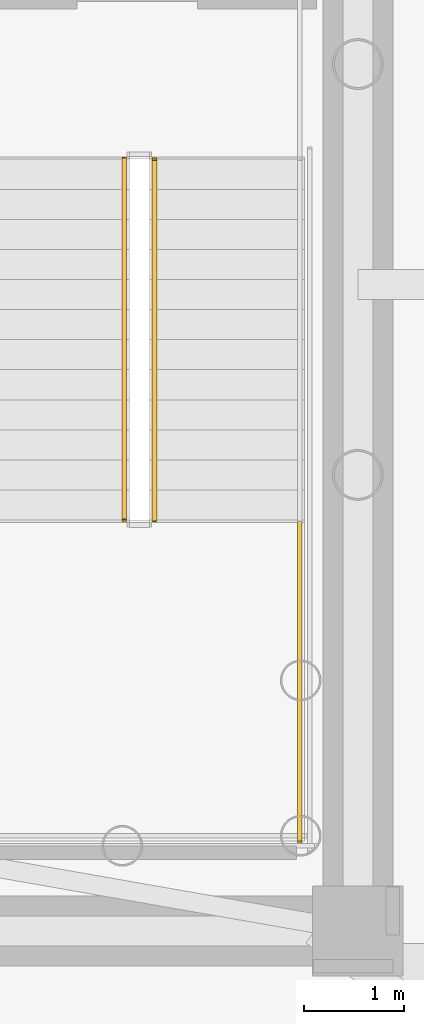
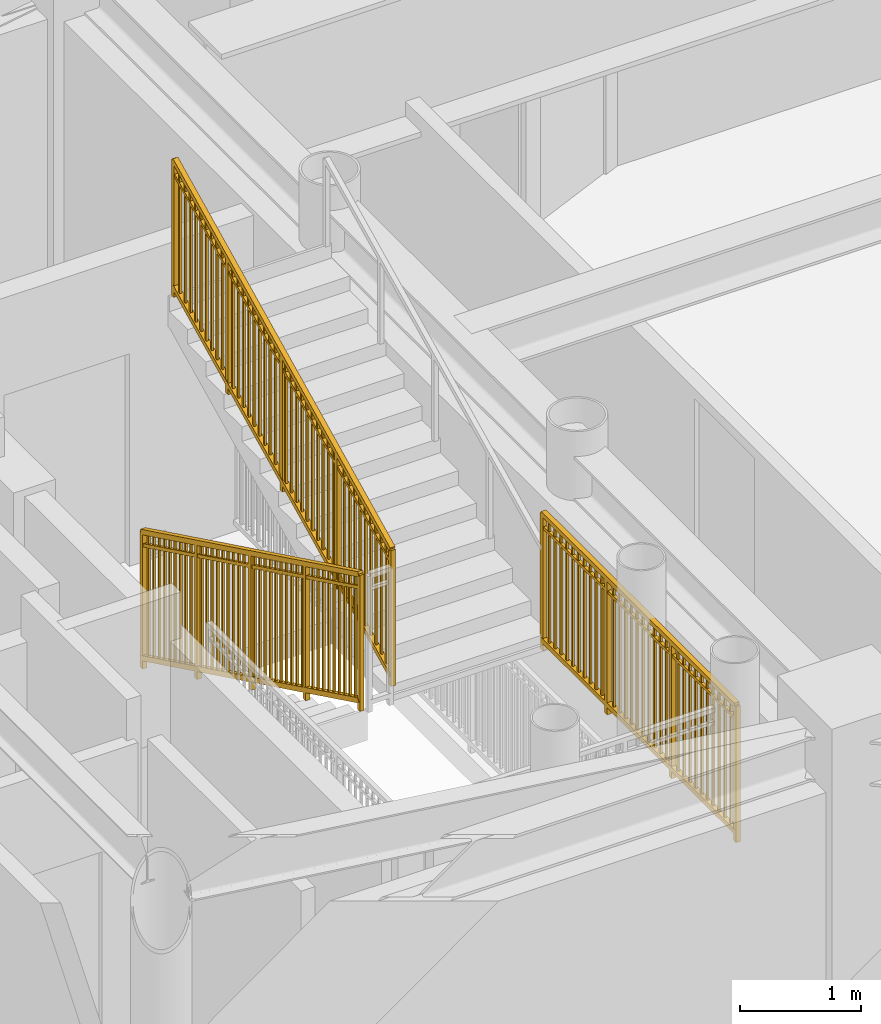
# One storey, part 15 of 19: 3 railings.
"""IFC4 building model written with IfcOpenShell, lengths in metres."""

from ifc_helpers import new_model, si_unit, direction, frame, origin, origin_2d, place, context, subcontext, project, spatial, rectangle, extrude, source, transform, mapped, material, type_object, element, save


model = new_model("IFC4")

# Units and contexts
model_context = context("Model", 3, precision=1e-05, world=origin(), true_north=direction((0.0, 1.0)))
body_context = subcontext(model_context, "Body", "Model", "MODEL_VIEW")
ifc_project = project(units=[si_unit("LENGTHUNIT", "METRE"), si_unit("AREAUNIT", "SQUARE_METRE"), si_unit("VOLUMEUNIT", "CUBIC_METRE"), si_unit("PLANEANGLEUNIT", "RADIAN"), si_unit("MASSUNIT", "GRAM", prefix="KILO")], contexts=[model_context])

# Site, building, storey
site_placement = place(None, origin())
site = spatial("IfcSite", under=ifc_project, at=site_placement, CompositionType="ELEMENT")
building_placement = place(site_placement, origin())
building = spatial("IfcBuilding", under=site, at=building_placement, Name="Linh Dai School and Residence Tower", CompositionType="ELEMENT")
storey_placement = place(building_placement, frame((0.0, 0.0, 339.199951171875)))
storey = spatial("IfcBuildingStorey", under=building, at=storey_placement, Name="L84", CompositionType="ELEMENT", Elevation=339.199951171875)

# Railings
ifc_material = material(Name="Structural Steel S355JR", Category="steel")
railing_type = type_object("IfcRailingType", Name="RL-ST-GUARD-1400", PredefinedType="GUARDRAIL", material=ifc_material)
shared_shape_1 = source(origin(), body_context, "Body", "SweptSolid", [
    extrude(rectangle(XDim=0.048095703125, YDim=0.048095703125, at=origin_2d()), frame((0.0, 0.0, 1.3759765625), z_axis=(0.0, -0.898988637874, 0.437971949985), x_axis=(1.0, 0.0, 0.0)), (0.0, 0.0, 1.0), 4.004638671875),
    extrude(rectangle(XDim=0.048095703125, YDim=0.048095703125, at=origin_2d()), frame((0.0, 0.0, 0.10009765625), z_axis=(0.0, -0.898988637874, 0.437971949985), x_axis=(1.0, 0.0, 0.0)), (0.0, 0.0, 1.0), 4.004638671875),
    extrude(rectangle(XDim=0.030029296875, YDim=0.030029296875, at=origin_2d()), frame((0.0, 0.0, 1.239990234375), z_axis=(0.0, -0.898988637874, 0.437971949985), x_axis=(1.0, 0.0, 0.0)), (0.0, 0.0, 1.0), 4.004638671875),
    extrude(rectangle(XDim=0.02001953125, YDim=0.02001953125, at=origin_2d()), frame((0.0, -0.087890625, 0.142822265625)), (0.0, 0.0, 1.0), 1.251708984375),
    extrude(rectangle(XDim=0.02001953125, YDim=0.02001953125, at=origin_2d()), frame((0.0, -0.175537109375, 0.185546875)), (0.0, 0.0, 1.0), 1.251708984375),
    extrude(rectangle(XDim=0.02001953125, YDim=0.02001953125, at=origin_2d()), frame((0.0, -0.263427734375, 0.228515625)), (0.0, 0.0, 1.0), 1.251708984375),
    extrude(rectangle(XDim=0.02001953125, YDim=0.02001953125, at=origin_2d()), frame((0.0, -0.351318359375, 0.271240234375)), (0.0, 0.0, 1.0), 1.251708984375),
    extrude(rectangle(XDim=0.02001953125, YDim=0.02001953125, at=origin_2d()), frame((0.0, -0.43896484375, 0.31396484375)), (0.0, 0.0, 1.0), 1.251708984375),
    extrude(rectangle(XDim=0.02001953125, YDim=0.02001953125, at=origin_2d()), frame((0.0, -0.52685546875, 0.356689453125)), (0.0, 0.0, 1.0), 1.251708984375),
    extrude(rectangle(XDim=0.02001953125, YDim=0.02001953125, at=origin_2d()), frame((0.0, -0.61474609375, 0.399658203125)), (0.0, 0.0, 1.0), 1.251708984375),
    extrude(rectangle(XDim=0.02001953125, YDim=0.02001953125, at=origin_2d()), frame((0.0, -0.702392578125, 0.4423828125)), (0.0, 0.0, 1.0), 1.251708984375),
    extrude(rectangle(XDim=0.02001953125, YDim=0.02001953125, at=origin_2d()), frame((0.0, -0.790283203125, 0.485107421875)), (0.0, 0.0, 1.0), 1.251708984375),
    extrude(rectangle(XDim=0.02001953125, YDim=0.02001953125, at=origin_2d()), frame((0.0, -0.9658203125, 0.570556640625)), (0.0, 0.0, 1.0), 1.251708984375),
    extrude(rectangle(XDim=0.02001953125, YDim=0.02001953125, at=origin_2d()), frame((0.0, -1.0537109375, 0.613525390625)), (0.0, 0.0, 1.0), 1.251708984375),
    extrude(rectangle(XDim=0.02001953125, YDim=0.02001953125, at=origin_2d()), frame((0.0, -1.1416015625, 0.65625)), (0.0, 0.0, 1.0), 1.251708984375),
    extrude(rectangle(XDim=0.02001953125, YDim=0.02001953125, at=origin_2d()), frame((0.0, -1.229248046875, 0.698974609375)), (0.0, 0.0, 1.0), 1.251708984375),
    extrude(rectangle(XDim=0.02001953125, YDim=0.02001953125, at=origin_2d()), frame((0.0, -1.317138671875, 0.74169921875)), (0.0, 0.0, 1.0), 1.251708984375),
    extrude(rectangle(XDim=0.02001953125, YDim=0.02001953125, at=origin_2d()), frame((0.0, -1.405029296875, 0.78466796875)), (0.0, 0.0, 1.0), 1.251708984375),
    extrude(rectangle(XDim=0.02001953125, YDim=0.02001953125, at=origin_2d()), frame((0.0, -1.49267578125, 0.827392578125)), (0.0, 0.0, 1.0), 1.251708984375),
    extrude(rectangle(XDim=0.02001953125, YDim=0.02001953125, at=origin_2d()), frame((0.0, -1.58056640625, 0.8701171875)), (0.0, 0.0, 1.0), 1.251708984375),
    extrude(rectangle(XDim=0.02001953125, YDim=0.02001953125, at=origin_2d()), frame((0.0, -1.66845703125, 0.912841796875)), (0.0, 0.0, 1.0), 1.251708984375),
    extrude(rectangle(XDim=0.02001953125, YDim=0.02001953125, at=origin_2d()), frame((0.0, -1.756103515625, 0.95556640625)), (0.0, 0.0, 1.0), 1.251708984375),
    extrude(rectangle(XDim=0.02001953125, YDim=0.02001953125, at=origin_2d()), frame((0.0, -1.843994140625, 0.99853515625)), (0.0, 0.0, 1.0), 1.251708984375),
    extrude(rectangle(XDim=0.02001953125, YDim=0.02001953125, at=origin_2d()), frame((0.0, -1.931640625, 1.041259765625)), (0.0, 0.0, 1.0), 1.251708984375),
    extrude(rectangle(XDim=0.02001953125, YDim=0.02001953125, at=origin_2d()), frame((0.0, -2.01953125, 1.083984375)), (0.0, 0.0, 1.0), 1.251708984375),
    extrude(rectangle(XDim=0.02001953125, YDim=0.02001953125, at=origin_2d()), frame((0.0, -2.107421875, 1.126708984375)), (0.0, 0.0, 1.0), 1.251708984375),
    extrude(rectangle(XDim=0.02001953125, YDim=0.02001953125, at=origin_2d()), frame((0.0, -2.195068359375, 1.16943359375)), (0.0, 0.0, 1.0), 1.251708984375),
    extrude(rectangle(XDim=0.02001953125, YDim=0.02001953125, at=origin_2d()), frame((0.0, -2.282958984375, 1.21240234375)), (0.0, 0.0, 1.0), 1.251708984375),
    extrude(rectangle(XDim=0.02001953125, YDim=0.02001953125, at=origin_2d()), frame((0.0, -2.370849609375, 1.255126953125)), (0.0, 0.0, 1.0), 1.251708984375),
    extrude(rectangle(XDim=0.02001953125, YDim=0.02001953125, at=origin_2d()), frame((0.0, -2.45849609375, 1.2978515625)), (0.0, 0.0, 1.0), 1.251708984375),
    extrude(rectangle(XDim=0.02001953125, YDim=0.02001953125, at=origin_2d()), frame((0.0, -2.54638671875, 1.340576171875)), (0.0, 0.0, 1.0), 1.251708984375),
    extrude(rectangle(XDim=0.02001953125, YDim=0.02001953125, at=origin_2d()), frame((0.0, -2.63427734375, 1.383544921875)), (0.0, 0.0, 1.0), 1.251708984375),
    extrude(rectangle(XDim=0.02001953125, YDim=0.02001953125, at=origin_2d()), frame((0.0, -2.809814453125, 1.468994140625)), (0.0, 0.0, 1.0), 1.251708984375),
    extrude(rectangle(XDim=0.02001953125, YDim=0.02001953125, at=origin_2d()), frame((0.0, -2.897705078125, 1.51171875)), (0.0, 0.0, 1.0), 1.251708984375),
    extrude(rectangle(XDim=0.02001953125, YDim=0.02001953125, at=origin_2d()), frame((0.0, -2.9853515625, 1.554443359375)), (0.0, 0.0, 1.0), 1.251708984375),
    extrude(rectangle(XDim=0.02001953125, YDim=0.02001953125, at=origin_2d()), frame((0.0, -3.0732421875, 1.597412109375)), (0.0, 0.0, 1.0), 1.251708984375),
    extrude(rectangle(XDim=0.02001953125, YDim=0.02001953125, at=origin_2d()), frame((0.0, -3.1611328125, 1.64013671875)), (0.0, 0.0, 1.0), 1.251708984375),
    extrude(rectangle(XDim=0.02001953125, YDim=0.02001953125, at=origin_2d()), frame((0.0, -3.248779296875, 1.682861328125)), (0.0, 0.0, 1.0), 1.251708984375),
    extrude(rectangle(XDim=0.02001953125, YDim=0.02001953125, at=origin_2d()), frame((0.0, -3.336669921875, 1.7255859375)), (0.0, 0.0, 1.0), 1.251708984375),
    extrude(rectangle(XDim=0.02001953125, YDim=0.02001953125, at=origin_2d()), frame((0.0, -3.424560546875, 1.7685546875)), (0.0, 0.0, 1.0), 1.251708984375),
    extrude(rectangle(XDim=0.02001953125, YDim=0.02001953125, at=origin_2d()), frame((0.0, -3.51220703125, 1.811279296875)), (0.0, 0.0, 1.0), 1.251708984375),
    extrude(rectangle(XDim=0.0419921875, YDim=0.0419921875, at=origin_2d()), origin(), (0.0, 0.0, 1.0), 1.3759765625),
    extrude(rectangle(XDim=0.0419921875, YDim=0.0419921875, at=origin_2d()), frame((0.0, -0.89990234375, 0.4384765625)), (0.0, 0.0, 1.0), 1.3759765625),
    extrude(rectangle(XDim=0.0419921875, YDim=0.0419921875, at=origin_2d()), frame((0.0, -1.800048828125, 0.876953125)), (0.0, 0.0, 1.0), 1.3759765625),
    extrude(rectangle(XDim=0.0419921875, YDim=0.0419921875, at=origin_2d()), frame((0.0, -2.7001953125, 1.3154296875)), (0.0, 0.0, 1.0), 1.3759765625),
    extrude(rectangle(XDim=0.0419921875, YDim=0.0419921875, at=origin_2d()), frame((0.0, -3.60009765625, 1.75390625)), (0.0, 0.0, 1.0), 1.3759765625),
])
railing_1_placement = place(storey_placement, frame((42.52001953125, 28.25, 0.146240234375)))
element("IfcRailing", 1, at=railing_1_placement, inside=storey, type_object=railing_type, Name="L84 ST2 stair guard 1", PredefinedType="GUARDRAIL", context=body_context, shape_type="MappedRepresentation", body=[
    mapped(shared_shape_1, transform((0.0, 0.0, 0.0), x_axis=(1.0, 0.0, 0.0), y_axis=(0.0, 1.0, 0.0), z_axis=(0.0, 0.0, 1.0), scale=1.0)),
])
shared_shape_2 = source(origin(), body_context, "Body", "SweptSolid", [
    extrude(rectangle(XDim=0.048095703125, YDim=0.048095703125, at=origin_2d()), frame((0.0, 0.0, 1.3759765625), z_axis=(0.0, 0.898988637874, 0.437971949985), x_axis=(-1.0, 0.0, 0.0)), (0.0, 0.0, 1.0), 4.004638671875),
    extrude(rectangle(XDim=0.048095703125, YDim=0.048095703125, at=origin_2d()), frame((0.0, 0.0, 0.10009765625), z_axis=(0.0, 0.898988637874, 0.437971949985), x_axis=(-1.0, 0.0, 0.0)), (0.0, 0.0, 1.0), 4.004638671875),
    extrude(rectangle(XDim=0.030029296875, YDim=0.030029296875, at=origin_2d()), frame((0.0, 0.0, 1.239990234375), z_axis=(0.0, 0.898988637874, 0.437971949985), x_axis=(-1.0, 0.0, 0.0)), (0.0, 0.0, 1.0), 4.004638671875),
    extrude(rectangle(XDim=0.02001953125, YDim=0.02001953125, at=origin_2d()), frame((0.0, 0.087890625, 0.142822265625)), (0.0, 0.0, 1.0), 1.251708984375),
    extrude(rectangle(XDim=0.02001953125, YDim=0.02001953125, at=origin_2d()), frame((0.0, 0.175537109375, 0.185546875)), (0.0, 0.0, 1.0), 1.251708984375),
    extrude(rectangle(XDim=0.02001953125, YDim=0.02001953125, at=origin_2d()), frame((0.0, 0.263427734375, 0.228515625)), (0.0, 0.0, 1.0), 1.251708984375),
    extrude(rectangle(XDim=0.02001953125, YDim=0.02001953125, at=origin_2d()), frame((0.0, 0.351318359375, 0.271240234375)), (0.0, 0.0, 1.0), 1.251708984375),
    extrude(rectangle(XDim=0.02001953125, YDim=0.02001953125, at=origin_2d()), frame((0.0, 0.43896484375, 0.31396484375)), (0.0, 0.0, 1.0), 1.251708984375),
    extrude(rectangle(XDim=0.02001953125, YDim=0.02001953125, at=origin_2d()), frame((0.0, 0.52685546875, 0.356689453125)), (0.0, 0.0, 1.0), 1.251708984375),
    extrude(rectangle(XDim=0.02001953125, YDim=0.02001953125, at=origin_2d()), frame((0.0, 0.61474609375, 0.399658203125)), (0.0, 0.0, 1.0), 1.251708984375),
    extrude(rectangle(XDim=0.02001953125, YDim=0.02001953125, at=origin_2d()), frame((0.0, 0.702392578125, 0.4423828125)), (0.0, 0.0, 1.0), 1.251708984375),
    extrude(rectangle(XDim=0.02001953125, YDim=0.02001953125, at=origin_2d()), frame((0.0, 0.790283203125, 0.485107421875)), (0.0, 0.0, 1.0), 1.251708984375),
    extrude(rectangle(XDim=0.02001953125, YDim=0.02001953125, at=origin_2d()), frame((0.0, 0.9658203125, 0.570556640625)), (0.0, 0.0, 1.0), 1.251708984375),
    extrude(rectangle(XDim=0.02001953125, YDim=0.02001953125, at=origin_2d()), frame((0.0, 1.0537109375, 0.613525390625)), (0.0, 0.0, 1.0), 1.251708984375),
    extrude(rectangle(XDim=0.02001953125, YDim=0.02001953125, at=origin_2d()), frame((0.0, 1.1416015625, 0.65625)), (0.0, 0.0, 1.0), 1.251708984375),
    extrude(rectangle(XDim=0.02001953125, YDim=0.02001953125, at=origin_2d()), frame((0.0, 1.229248046875, 0.698974609375)), (0.0, 0.0, 1.0), 1.251708984375),
    extrude(rectangle(XDim=0.02001953125, YDim=0.02001953125, at=origin_2d()), frame((0.0, 1.317138671875, 0.74169921875)), (0.0, 0.0, 1.0), 1.251708984375),
    extrude(rectangle(XDim=0.02001953125, YDim=0.02001953125, at=origin_2d()), frame((0.0, 1.405029296875, 0.78466796875)), (0.0, 0.0, 1.0), 1.251708984375),
    extrude(rectangle(XDim=0.02001953125, YDim=0.02001953125, at=origin_2d()), frame((0.0, 1.49267578125, 0.827392578125)), (0.0, 0.0, 1.0), 1.251708984375),
    extrude(rectangle(XDim=0.02001953125, YDim=0.02001953125, at=origin_2d()), frame((0.0, 1.58056640625, 0.8701171875)), (0.0, 0.0, 1.0), 1.251708984375),
    extrude(rectangle(XDim=0.02001953125, YDim=0.02001953125, at=origin_2d()), frame((0.0, 1.66845703125, 0.912841796875)), (0.0, 0.0, 1.0), 1.251708984375),
    extrude(rectangle(XDim=0.02001953125, YDim=0.02001953125, at=origin_2d()), frame((0.0, 1.756103515625, 0.95556640625)), (0.0, 0.0, 1.0), 1.251708984375),
    extrude(rectangle(XDim=0.02001953125, YDim=0.02001953125, at=origin_2d()), frame((0.0, 1.843994140625, 0.99853515625)), (0.0, 0.0, 1.0), 1.251708984375),
    extrude(rectangle(XDim=0.02001953125, YDim=0.02001953125, at=origin_2d()), frame((0.0, 1.931640625, 1.041259765625)), (0.0, 0.0, 1.0), 1.251708984375),
    extrude(rectangle(XDim=0.02001953125, YDim=0.02001953125, at=origin_2d()), frame((0.0, 2.01953125, 1.083984375)), (0.0, 0.0, 1.0), 1.251708984375),
    extrude(rectangle(XDim=0.02001953125, YDim=0.02001953125, at=origin_2d()), frame((0.0, 2.107421875, 1.126708984375)), (0.0, 0.0, 1.0), 1.251708984375),
    extrude(rectangle(XDim=0.02001953125, YDim=0.02001953125, at=origin_2d()), frame((0.0, 2.195068359375, 1.16943359375)), (0.0, 0.0, 1.0), 1.251708984375),
    extrude(rectangle(XDim=0.02001953125, YDim=0.02001953125, at=origin_2d()), frame((0.0, 2.282958984375, 1.21240234375)), (0.0, 0.0, 1.0), 1.251708984375),
    extrude(rectangle(XDim=0.02001953125, YDim=0.02001953125, at=origin_2d()), frame((0.0, 2.370849609375, 1.255126953125)), (0.0, 0.0, 1.0), 1.251708984375),
    extrude(rectangle(XDim=0.02001953125, YDim=0.02001953125, at=origin_2d()), frame((0.0, 2.45849609375, 1.2978515625)), (0.0, 0.0, 1.0), 1.251708984375),
    extrude(rectangle(XDim=0.02001953125, YDim=0.02001953125, at=origin_2d()), frame((0.0, 2.54638671875, 1.340576171875)), (0.0, 0.0, 1.0), 1.251708984375),
    extrude(rectangle(XDim=0.02001953125, YDim=0.02001953125, at=origin_2d()), frame((0.0, 2.63427734375, 1.383544921875)), (0.0, 0.0, 1.0), 1.251708984375),
    extrude(rectangle(XDim=0.02001953125, YDim=0.02001953125, at=origin_2d()), frame((0.0, 2.809814453125, 1.468994140625)), (0.0, 0.0, 1.0), 1.251708984375),
    extrude(rectangle(XDim=0.02001953125, YDim=0.02001953125, at=origin_2d()), frame((0.0, 2.897705078125, 1.51171875)), (0.0, 0.0, 1.0), 1.251708984375),
    extrude(rectangle(XDim=0.02001953125, YDim=0.02001953125, at=origin_2d()), frame((0.0, 2.9853515625, 1.554443359375)), (0.0, 0.0, 1.0), 1.251708984375),
    extrude(rectangle(XDim=0.02001953125, YDim=0.02001953125, at=origin_2d()), frame((0.0, 3.0732421875, 1.597412109375)), (0.0, 0.0, 1.0), 1.251708984375),
    extrude(rectangle(XDim=0.02001953125, YDim=0.02001953125, at=origin_2d()), frame((0.0, 3.1611328125, 1.64013671875)), (0.0, 0.0, 1.0), 1.251708984375),
    extrude(rectangle(XDim=0.02001953125, YDim=0.02001953125, at=origin_2d()), frame((0.0, 3.248779296875, 1.682861328125)), (0.0, 0.0, 1.0), 1.251708984375),
    extrude(rectangle(XDim=0.02001953125, YDim=0.02001953125, at=origin_2d()), frame((0.0, 3.336669921875, 1.7255859375)), (0.0, 0.0, 1.0), 1.251708984375),
    extrude(rectangle(XDim=0.02001953125, YDim=0.02001953125, at=origin_2d()), frame((0.0, 3.424560546875, 1.7685546875)), (0.0, 0.0, 1.0), 1.251708984375),
    extrude(rectangle(XDim=0.02001953125, YDim=0.02001953125, at=origin_2d()), frame((0.0, 3.51220703125, 1.811279296875)), (0.0, 0.0, 1.0), 1.251708984375),
    extrude(rectangle(XDim=0.0419921875, YDim=0.0419921875, at=origin_2d()), origin(), (0.0, 0.0, 1.0), 1.3759765625),
    extrude(rectangle(XDim=0.0419921875, YDim=0.0419921875, at=origin_2d()), frame((0.0, 0.89990234375, 0.4384765625)), (0.0, 0.0, 1.0), 1.3759765625),
    extrude(rectangle(XDim=0.0419921875, YDim=0.0419921875, at=origin_2d()), frame((0.0, 1.800048828125, 0.876953125)), (0.0, 0.0, 1.0), 1.3759765625),
    extrude(rectangle(XDim=0.0419921875, YDim=0.0419921875, at=origin_2d()), frame((0.0, 2.7001953125, 1.3154296875)), (0.0, 0.0, 1.0), 1.3759765625),
    extrude(rectangle(XDim=0.0419921875, YDim=0.0419921875, at=origin_2d()), frame((0.0, 3.60009765625, 1.75390625)), (0.0, 0.0, 1.0), 1.3759765625),
])
railing_2_placement = place(storey_placement, frame((42.820068359375, 24.64990234375, 2.046142578125)))
element("IfcRailing", 2, at=railing_2_placement, inside=storey, type_object=railing_type, Name="L84 ST2 stair guard 6", PredefinedType="GUARDRAIL", context=body_context, shape_type="MappedRepresentation", body=[
    mapped(shared_shape_2, transform((0.0, 0.0, 0.0), x_axis=(1.0, 0.0, 0.0), y_axis=(0.0, 1.0, 0.0), z_axis=(0.0, 0.0, 1.0), scale=1.0)),
])
shared_shape_3 = source(origin(), body_context, "Body", "SweptSolid", [
    extrude(rectangle(XDim=0.048095703125, YDim=0.048095703125, at=origin_2d()), frame((0.0, 0.0, 1.3759765625), z_axis=(0.0, -1.0, 0.0), x_axis=(1.0, 0.0, 0.0)), (0.0, 0.0, 1.0), 3.199951171875),
    extrude(rectangle(XDim=0.048095703125, YDim=0.048095703125, at=origin_2d()), frame((0.0, 0.0, 0.10009765625), z_axis=(0.0, -1.0, 0.0), x_axis=(1.0, 0.0, 0.0)), (0.0, 0.0, 1.0), 3.199951171875),
    extrude(rectangle(XDim=0.030029296875, YDim=0.030029296875, at=origin_2d()), frame((0.0, 0.0, 1.239990234375), z_axis=(0.0, -1.0, 0.0), x_axis=(1.0, 0.0, 0.0)), (0.0, 0.0, 1.0), 3.199951171875),
    extrude(rectangle(XDim=0.02001953125, YDim=0.02001953125, at=origin_2d()), frame((0.0, -0.096923828125, 0.10009765625)), (0.0, 0.0, 1.0), 1.251708984375),
    extrude(rectangle(XDim=0.02001953125, YDim=0.02001953125, at=origin_2d()), frame((0.0, -0.19384765625, 0.10009765625)), (0.0, 0.0, 1.0), 1.251708984375),
    extrude(rectangle(XDim=0.02001953125, YDim=0.02001953125, at=origin_2d()), frame((0.0, -0.291015625, 0.10009765625)), (0.0, 0.0, 1.0), 1.251708984375),
    extrude(rectangle(XDim=0.02001953125, YDim=0.02001953125, at=origin_2d()), frame((0.0, -0.387939453125, 0.10009765625)), (0.0, 0.0, 1.0), 1.251708984375),
    extrude(rectangle(XDim=0.02001953125, YDim=0.02001953125, at=origin_2d()), frame((0.0, -0.48486328125, 0.10009765625)), (0.0, 0.0, 1.0), 1.251708984375),
    extrude(rectangle(XDim=0.02001953125, YDim=0.02001953125, at=origin_2d()), frame((0.0, -0.581787109375, 0.10009765625)), (0.0, 0.0, 1.0), 1.251708984375),
    extrude(rectangle(XDim=0.02001953125, YDim=0.02001953125, at=origin_2d()), frame((0.0, -0.6787109375, 0.10009765625)), (0.0, 0.0, 1.0), 1.251708984375),
    extrude(rectangle(XDim=0.02001953125, YDim=0.02001953125, at=origin_2d()), frame((0.0, -0.775634765625, 0.10009765625)), (0.0, 0.0, 1.0), 1.251708984375),
    extrude(rectangle(XDim=0.02001953125, YDim=0.02001953125, at=origin_2d()), frame((0.0, -0.872802734375, 0.10009765625)), (0.0, 0.0, 1.0), 1.251708984375),
    extrude(rectangle(XDim=0.02001953125, YDim=0.02001953125, at=origin_2d()), frame((0.0, -0.9697265625, 0.10009765625)), (0.0, 0.0, 1.0), 1.251708984375),
    extrude(rectangle(XDim=0.02001953125, YDim=0.02001953125, at=origin_2d()), frame((0.0, -1.16357421875, 0.10009765625)), (0.0, 0.0, 1.0), 1.251708984375),
    extrude(rectangle(XDim=0.02001953125, YDim=0.02001953125, at=origin_2d()), frame((0.0, -1.260498046875, 0.10009765625)), (0.0, 0.0, 1.0), 1.251708984375),
    extrude(rectangle(XDim=0.02001953125, YDim=0.02001953125, at=origin_2d()), frame((0.0, -1.357666015625, 0.10009765625)), (0.0, 0.0, 1.0), 1.251708984375),
    extrude(rectangle(XDim=0.02001953125, YDim=0.02001953125, at=origin_2d()), frame((0.0, -1.45458984375, 0.10009765625)), (0.0, 0.0, 1.0), 1.251708984375),
    extrude(rectangle(XDim=0.02001953125, YDim=0.02001953125, at=origin_2d()), frame((0.0, -1.551513671875, 0.10009765625)), (0.0, 0.0, 1.0), 1.251708984375),
    extrude(rectangle(XDim=0.02001953125, YDim=0.02001953125, at=origin_2d()), frame((0.0, -1.6484375, 0.10009765625)), (0.0, 0.0, 1.0), 1.251708984375),
    extrude(rectangle(XDim=0.02001953125, YDim=0.02001953125, at=origin_2d()), frame((0.0, -1.745361328125, 0.10009765625)), (0.0, 0.0, 1.0), 1.251708984375),
    extrude(rectangle(XDim=0.02001953125, YDim=0.02001953125, at=origin_2d()), frame((0.0, -1.84228515625, 0.10009765625)), (0.0, 0.0, 1.0), 1.251708984375),
    extrude(rectangle(XDim=0.02001953125, YDim=0.02001953125, at=origin_2d()), frame((0.0, -1.939453125, 0.10009765625)), (0.0, 0.0, 1.0), 1.251708984375),
    extrude(rectangle(XDim=0.02001953125, YDim=0.02001953125, at=origin_2d()), frame((0.0, -2.036376953125, 0.10009765625)), (0.0, 0.0, 1.0), 1.251708984375),
    extrude(rectangle(XDim=0.02001953125, YDim=0.02001953125, at=origin_2d()), frame((0.0, -2.230224609375, 0.10009765625)), (0.0, 0.0, 1.0), 1.251708984375),
    extrude(rectangle(XDim=0.02001953125, YDim=0.02001953125, at=origin_2d()), frame((0.0, -2.3271484375, 0.10009765625)), (0.0, 0.0, 1.0), 1.251708984375),
    extrude(rectangle(XDim=0.02001953125, YDim=0.02001953125, at=origin_2d()), frame((0.0, -2.42431640625, 0.10009765625)), (0.0, 0.0, 1.0), 1.251708984375),
    extrude(rectangle(XDim=0.02001953125, YDim=0.02001953125, at=origin_2d()), frame((0.0, -2.521240234375, 0.10009765625)), (0.0, 0.0, 1.0), 1.251708984375),
    extrude(rectangle(XDim=0.02001953125, YDim=0.02001953125, at=origin_2d()), frame((0.0, -2.6181640625, 0.10009765625)), (0.0, 0.0, 1.0), 1.251708984375),
    extrude(rectangle(XDim=0.02001953125, YDim=0.02001953125, at=origin_2d()), frame((0.0, -2.715087890625, 0.10009765625)), (0.0, 0.0, 1.0), 1.251708984375),
    extrude(rectangle(XDim=0.02001953125, YDim=0.02001953125, at=origin_2d()), frame((0.0, -2.81201171875, 0.10009765625)), (0.0, 0.0, 1.0), 1.251708984375),
    extrude(rectangle(XDim=0.02001953125, YDim=0.02001953125, at=origin_2d()), frame((0.0, -2.908935546875, 0.10009765625)), (0.0, 0.0, 1.0), 1.251708984375),
    extrude(rectangle(XDim=0.02001953125, YDim=0.02001953125, at=origin_2d()), frame((0.0, -3.006103515625, 0.10009765625)), (0.0, 0.0, 1.0), 1.251708984375),
    extrude(rectangle(XDim=0.02001953125, YDim=0.02001953125, at=origin_2d()), frame((0.0, -3.10302734375, 0.10009765625)), (0.0, 0.0, 1.0), 1.251708984375),
    extrude(rectangle(XDim=0.0419921875, YDim=0.0419921875, at=origin_2d()), origin(), (0.0, 0.0, 1.0), 1.3759765625),
    extrude(rectangle(XDim=0.0419921875, YDim=0.0419921875, at=origin_2d()), frame((0.0, -1.066650390625, 0.0)), (0.0, 0.0, 1.0), 1.3759765625),
    extrude(rectangle(XDim=0.0419921875, YDim=0.0419921875, at=origin_2d()), frame((0.0, -2.13330078125, 0.0)), (0.0, 0.0, 1.0), 1.3759765625),
    extrude(rectangle(XDim=0.0419921875, YDim=0.0419921875, at=origin_2d()), frame((0.0, -3.199951171875, 0.0)), (0.0, 0.0, 1.0), 1.3759765625),
])
railing_3_placement = place(storey_placement, frame((44.27001953125, 24.64990234375, 1.900146484375)))
element("IfcRailing", 3, at=railing_3_placement, inside=storey, type_object=railing_type, Name="L84 ST2 stair guard 4", PredefinedType="GUARDRAIL", context=body_context, shape_type="MappedRepresentation", body=[
    mapped(shared_shape_3, transform((0.0, 0.0, 0.0), x_axis=(1.0, 0.0, 0.0), y_axis=(0.0, 1.0, 0.0), z_axis=(0.0, 0.0, 1.0), scale=1.0)),
])

save(model, "model.ifc")
